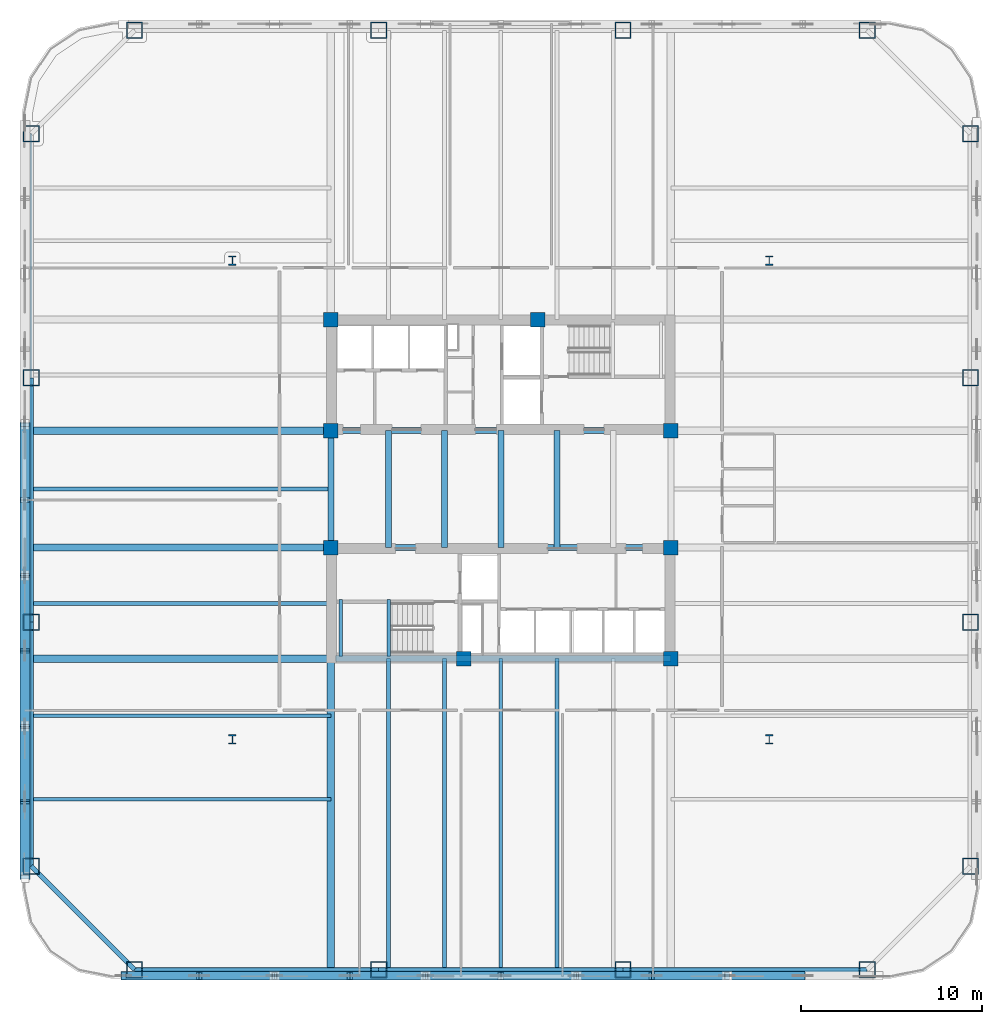
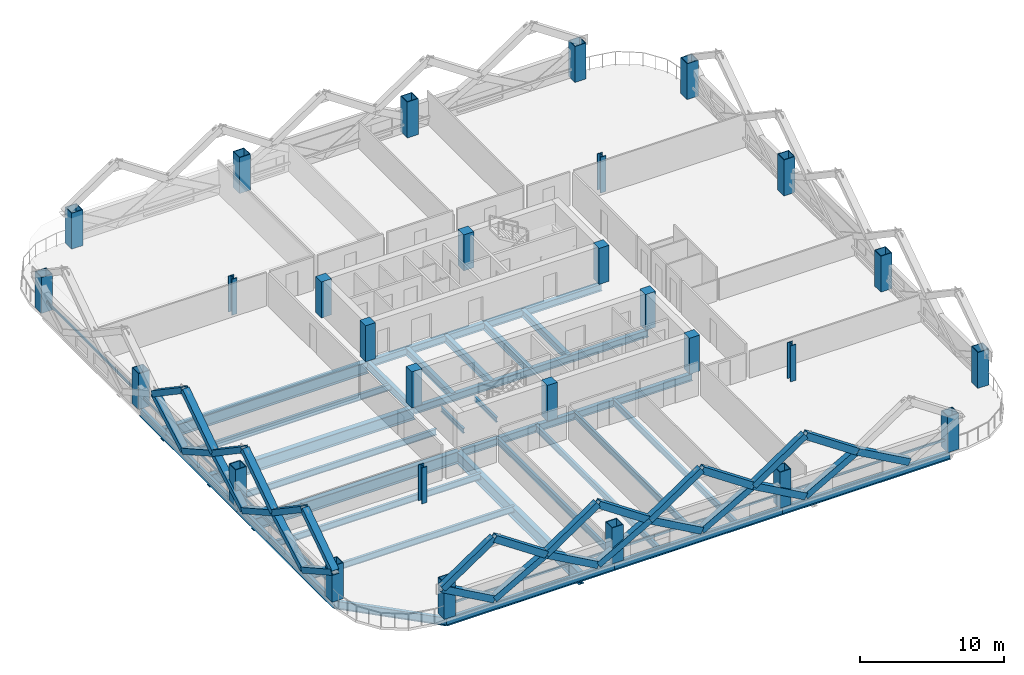
# One storey, part 1 of 14: 31 members, 28 beams, 28 columns.
"""IFC4 building model written with IfcOpenShell, lengths in metres."""

from ifc_helpers import new_model, si_unit, direction, frame, origin, origin_2d, place, context, subcontext, project, spatial, rectangle, hollow_rectangle, i_section, extrude, material, material_profile, profile_set, type_object, element, save


model = new_model("IFC4")

# Units and contexts
model_context = context("Model", 3, precision=1e-05, world=origin(), true_north=direction((0.0, 1.0)))
body_context = subcontext(model_context, "Body", "Model", "MODEL_VIEW")
ifc_project = project(units=[si_unit("LENGTHUNIT", "METRE"), si_unit("AREAUNIT", "SQUARE_METRE"), si_unit("VOLUMEUNIT", "CUBIC_METRE"), si_unit("PLANEANGLEUNIT", "RADIAN"), si_unit("MASSUNIT", "GRAM", prefix="KILO")], contexts=[model_context])

# Site, building, storey
site_placement = place(None, origin())
site = spatial("IfcSite", under=ifc_project, at=site_placement, CompositionType="ELEMENT")
building_placement = place(site_placement, origin())
building = spatial("IfcBuilding", under=site, at=building_placement, Name="Qhalaya Broadcast Tower", CompositionType="ELEMENT")
storey_placement = place(building_placement, frame((0.0, 0.0, 38.300048828125)))
storey = spatial("IfcBuildingStorey", under=building, at=storey_placement, Name="L10", CompositionType="ELEMENT", Elevation=38.300048828125)

# Columns
ifc_material_1 = material(Name="Concrete C50/60", Category="concrete")
ifc_material_profile_1 = material_profile(ifc_material_1, rectangle(XDim=0.800048828125, YDim=0.800048828125, at=origin_2d()), Name="RC-COL 800x800")
ifc_profile_set_1 = profile_set([ifc_material_profile_1], Name="Concrete C50/60")
column_type_1 = type_object("IfcColumnType", Name="RC Upper Column C10", PredefinedType="COLUMN", material=ifc_profile_set_1)
for number, where, z_axis, x_axis, name in (
    (1, (-9.375, 9.949951171875, 0.0), (0.0, 0.0, 1.0), (1.0, 0.0, 0.0), "L10 Column COL-CC1"),
    (2, (2.050048828125, 9.949951171875, 0.0), (0.0, 0.0, 1.0), (1.0, 0.0, 0.0), "L10 Column COL-CC2"),
    (3, (-9.375, 3.824951171875, 0.0), (0.0, 0.0, 1.0), (1.0, 0.0, 0.0), "L10 Column COL-CC3"),
    (4, (9.375, 3.824951171875, 0.0), (0.0, 0.0, 1.0), (1.0, 0.0, 0.0), "L10 Column COL-CC4"),
    (5, (-9.375, -2.625, 0.0), (0.0, 0.0, 1.0), (1.0, 0.0, 0.0), "L10 Column COL-CC5"),
    (6, (9.375, -2.625, 0.0), (0.0, 0.0, 1.0), (1.0, 0.0, 0.0), "L10 Column COL-CC6"),
    (7, (-2.050048828125, -8.75, 0.0), (0.0, 0.0, 1.0), (1.0, 0.0, 0.0), "L10 Column COL-CC7"),
    (8, (9.375, -8.75, 0.0), (0.0, 0.0, 1.0), (1.0, 0.0, 0.0), "L10 Column COL-CC8"),
):
    element("IfcColumn", number, at=place(storey_placement, frame(where, z_axis=z_axis, x_axis=x_axis)), inside=storey, type_object=column_type_1, Name=name, PredefinedType="COLUMN", context=body_context, shape_type="SweptSolid", body=[
        extrude(rectangle(XDim=0.800048828125, YDim=0.800048828125, at=origin_2d()), origin(), (0.0, 0.0, 1.0), 3.050048828125),
    ])
ifc_material_2 = material(Name="Structural Steel ASTM A992 Grade 50", Category="steel")
ifc_material_profile_2 = material_profile(ifc_material_2, i_section(OverallWidth=0.41796875, OverallDepth=0.510009765625, WebThickness=0.0419921875, FlangeThickness=0.067626953125, at=origin_2d()), Name="W14X370")
ifc_profile_set_2 = profile_set([ifc_material_profile_2], Name="Structural Steel ASTM A992 Grade 50")
column_type_2 = type_object("IfcColumnType", Name="Rolled Gravity Column C06", PredefinedType="COLUMN", material=ifc_profile_set_2)
for number, where, z_axis, x_axis, name in (
    (9, (-14.800048828125, -13.199951171875, 0.0), (0.0, 0.0, 1.0), (1.0, 0.0, 0.0), "L10 Column COL-GR1"),
    (10, (14.800048828125, -13.199951171875, 0.0), (0.0, 0.0, 1.0), (1.0, 0.0, 0.0), "L10 Column COL-GR2"),
    (11, (-14.800048828125, 13.199951171875, 0.0), (0.0, 0.0, 1.0), (1.0, 0.0, 0.0), "L10 Column COL-GR3"),
    (12, (14.800048828125, 13.199951171875, 0.0), (0.0, 0.0, 1.0), (1.0, 0.0, 0.0), "L10 Column COL-GR4"),
):
    element("IfcColumn", number, at=place(storey_placement, frame(where, z_axis=z_axis, x_axis=x_axis)), inside=storey, type_object=column_type_2, Name=name, PredefinedType="COLUMN", context=body_context, shape_type="SweptSolid", body=[
        extrude(i_section(OverallWidth=0.41796875, OverallDepth=0.510009765625, WebThickness=0.0419921875, FlangeThickness=0.067626953125, at=origin_2d()), origin(), (0.0, 0.0, 1.0), 3.050048828125),
    ])
ifc_material_3 = material(Name="Structural Steel ASTM A572 Grade 50", Category="steel")
ifc_material_profile_3 = material_profile(ifc_material_3, hollow_rectangle(XDim=0.89990234375, YDim=0.89990234375, WallThickness=0.054931640625, at=origin_2d()), Name="BOX 900x900x55")
ifc_profile_set_3 = profile_set([ifc_material_profile_3], Name="Structural Steel ASTM A572 Grade 50")
column_type_3 = type_object("IfcColumnType", Name="Steel Box Column C02", PredefinedType="COLUMN", material=ifc_profile_set_3)
for number, where, z_axis, x_axis, name in (
    (13, (-20.199951171875, -25.89990234375, 0.0), (0.0, 0.0, 1.0), (1.0, 0.0, 0.0), "L10 Column COL-EX01"),
    (14, (-6.7333984375, -25.89990234375, 0.0), (0.0, 0.0, 1.0), (1.0, 0.0, 0.0), "L10 Column COL-EX02"),
    (15, (6.7333984375, -25.89990234375, 0.0), (0.0, 0.0, 1.0), (1.0, 0.0, 0.0), "L10 Column COL-EX03"),
    (16, (20.199951171875, -25.89990234375, 0.0), (0.0, 0.0, 1.0), (1.0, 0.0, 0.0), "L10 Column COL-EX04"),
    (17, (25.89990234375, -20.199951171875, 0.0), (0.0, 0.0, 1.0), (0.0, 1.0, 0.0), "L10 Column COL-EX05"),
    (18, (25.89990234375, -6.7333984375, 0.0), (0.0, 0.0, 1.0), (0.0, 1.0, 0.0), "L10 Column COL-EX06"),
    (19, (25.89990234375, 6.7333984375, 0.0), (0.0, 0.0, 1.0), (0.0, 1.0, 0.0), "L10 Column COL-EX07"),
    (20, (25.89990234375, 20.199951171875, 0.0), (0.0, 0.0, 1.0), (0.0, 1.0, 0.0), "L10 Column COL-EX08"),
    (21, (20.199951171875, 25.89990234375, 0.0), (0.0, 0.0, 1.0), (1.0, 0.0, 0.0), "L10 Column COL-EX09"),
    (22, (6.7333984375, 25.89990234375, 0.0), (0.0, 0.0, 1.0), (1.0, 0.0, 0.0), "L10 Column COL-EX10"),
    (23, (-6.7333984375, 25.89990234375, 0.0), (0.0, 0.0, 1.0), (1.0, 0.0, 0.0), "L10 Column COL-EX11"),
    (24, (-20.199951171875, 25.89990234375, 0.0), (0.0, 0.0, 1.0), (1.0, 0.0, 0.0), "L10 Column COL-EX12"),
    (25, (-25.89990234375, 20.199951171875, 0.0), (0.0, 0.0, 1.0), (0.0, 1.0, 0.0), "L10 Column COL-EX13"),
    (26, (-25.89990234375, 6.7333984375, 0.0), (0.0, 0.0, 1.0), (0.0, 1.0, 0.0), "L10 Column COL-EX14"),
    (27, (-25.89990234375, -6.7333984375, 0.0), (0.0, 0.0, 1.0), (0.0, 1.0, 0.0), "L10 Column COL-EX15"),
    (28, (-25.89990234375, -20.199951171875, 0.0), (0.0, 0.0, 1.0), (0.0, 1.0, 0.0), "L10 Column COL-EX16"),
):
    element("IfcColumn", number, at=place(storey_placement, frame(where, z_axis=z_axis, x_axis=x_axis)), inside=storey, type_object=column_type_3, Name=name, PredefinedType="COLUMN", context=body_context, shape_type="SweptSolid", body=[
        extrude(hollow_rectangle(XDim=0.89990234375, YDim=0.89990234375, WallThickness=0.054931640625, at=origin_2d()), origin(), (0.0, 0.0, 1.0), 3.050048828125),
    ])

# Beams
ifc_material_profile_4 = material_profile(ifc_material_2, i_section(OverallWidth=0.2099609375, OverallDepth=0.535888671875, WebThickness=0.010986328125, FlangeThickness=0.017333984375, at=origin_2d()), Name="W21X68")
ifc_profile_set_4 = profile_set([ifc_material_profile_4], Name="Structural Steel ASTM A992 Grade 50")
beam_type_1 = type_object("IfcBeamType", Name="Composite Floor Joist J02", PredefinedType="JOIST", material=ifc_profile_set_4)
for number, where, z_axis, x_axis, name in (
    (29, (-6.199951171875, -25.8798828125, -0.488037109375), (0.0, 1.0, 0.0), (-1.0, 0.0, 0.0), "L10 J02 L10-JNS1-1"),
    (30, (-3.10009765625, -25.8798828125, -0.488037109375), (0.0, 1.0, 0.0), (-1.0, 0.0, 0.0), "L10 J02 L10-JNS2-1"),
    (31, (0.0, -25.8798828125, -0.488037109375), (0.0, 1.0, 0.0), (-1.0, 0.0, 0.0), "L10 J02 L10-JNS3-1"),
    (32, (3.10009765625, -25.8798828125, -0.488037109375), (0.0, 1.0, 0.0), (-1.0, 0.0, 0.0), "L10 J02 L10-JNS4-1"),
):
    element("IfcBeam", number, at=place(storey_placement, frame(where, z_axis=z_axis, x_axis=x_axis)), inside=storey, type_object=beam_type_1, Name=name, PredefinedType="JOIST", context=body_context, shape_type="SweptSolid", body=[
        extrude(i_section(OverallWidth=0.2099609375, OverallDepth=0.535888671875, WebThickness=0.010986328125, FlangeThickness=0.017333984375, at=origin_2d()), origin(), (0.0, 0.0, 1.0), 17.1298828125),
    ])
for number, where, z_axis, x_axis, name in (
    (33, (-25.8798828125, -16.5, -0.488037109375), (1.0, 0.0, 0.0), (0.0, 1.0, 0.0), "L10 J02 L10-JWE1W-1"),
    (34, (-25.8798828125, -11.89990234375, -0.488037109375), (1.0, 0.0, 0.0), (0.0, 1.0, 0.0), "L10 J02 L10-JWE2W-1"),
    (35, (-25.8798828125, -5.699951171875, -0.488037109375), (1.0, 0.0, 0.0), (0.0, 1.0, 0.0), "L10 J02 L10-JWE3W-1"),
    (36, (-25.8798828125, 0.60009765625, -0.488037109375), (1.0, 0.0, 0.0), (0.0, 1.0, 0.0), "L10 J02 L10-JWE4W-1"),
):
    element("IfcBeam", number, at=place(storey_placement, frame(where, z_axis=z_axis, x_axis=x_axis)), inside=storey, type_object=beam_type_1, Name=name, PredefinedType="JOIST", context=body_context, shape_type="SweptSolid", body=[
        extrude(i_section(OverallWidth=0.2099609375, OverallDepth=0.535888671875, WebThickness=0.010986328125, FlangeThickness=0.017333984375, at=origin_2d()), origin(), (0.0, 0.0, 1.0), 16.5048828125),
    ])
ifc_material_profile_5 = material_profile(ifc_material_2, i_section(OverallWidth=0.323974609375, OverallDepth=0.612060546875, WebThickness=0.0126953125, FlangeThickness=0.01904296875, at=origin_2d()), Name="W24X104")
ifc_profile_set_5 = profile_set([ifc_material_profile_5], Name="Structural Steel ASTM A992 Grade 50")
beam_type_2 = type_object("IfcBeamType", Name="Core Frame Tie Beam B04", PredefinedType="BEAM", material=ifc_profile_set_5)
for number, where, z_axis, x_axis, name in (
    (37, (-9.375, 3.824951171875, -0.526123046875), (1.0, 0.0, 0.0), (0.0, 1.0, 0.0), "L10 B04 L10-CCN1"),
    (38, (-9.375, -2.625, -0.526123046875), (1.0, 0.0, 0.0), (0.0, 1.0, 0.0), "L10 B04 L10-CCS1"),
):
    element("IfcBeam", number, at=place(storey_placement, frame(where, z_axis=z_axis, x_axis=x_axis)), inside=storey, type_object=beam_type_2, Name=name, PredefinedType="BEAM", context=body_context, shape_type="SweptSolid", body=[
        extrude(i_section(OverallWidth=0.323974609375, OverallDepth=0.612060546875, WebThickness=0.0126953125, FlangeThickness=0.01904296875, at=origin_2d()), origin(), (0.0, 0.0, 1.0), 18.75),
    ])
beam_1_placement = place(storey_placement, frame((-9.1201171875, -8.75, -0.526123046875), z_axis=(1.0, 0.0, 0.0), x_axis=(0.0, 1.0, 0.0)))
element("IfcBeam", 39, at=beam_1_placement, inside=storey, type_object=beam_type_2, Name="L10 B04 L10-CCS3", PredefinedType="BEAM", context=body_context, shape_type="SweptSolid", body=[
    extrude(i_section(OverallWidth=0.323974609375, OverallDepth=0.612060546875, WebThickness=0.0126953125, FlangeThickness=0.01904296875, at=origin_2d()), origin(), (0.0, 0.0, 1.0), 18.4951171875),
])
for number, where, z_axis, x_axis, name in (
    (40, (-9.375, -2.625, -0.526123046875), (0.0, 1.0, 0.0), (-1.0, 0.0, 0.0), "L10 B04 L10-CCW"),
    (41, (-6.199951171875, -2.625, -0.526123046875), (0.0, 1.0, 0.0), (-1.0, 0.0, 0.0), "L10 B04 L10-JC1-1"),
    (42, (-3.10009765625, -2.625, -0.526123046875), (0.0, 1.0, 0.0), (-1.0, 0.0, 0.0), "L10 B04 L10-JC2-1"),
    (43, (0.0, -2.625, -0.526123046875), (0.0, 1.0, 0.0), (-1.0, 0.0, 0.0), "L10 B04 L10-JC3-1"),
    (44, (3.10009765625, -2.625, -0.526123046875), (0.0, 1.0, 0.0), (-1.0, 0.0, 0.0), "L10 B04 L10-JC4-1"),
):
    element("IfcBeam", number, at=place(storey_placement, frame(where, z_axis=z_axis, x_axis=x_axis)), inside=storey, type_object=beam_type_2, Name=name, PredefinedType="BEAM", context=body_context, shape_type="SweptSolid", body=[
        extrude(i_section(OverallWidth=0.323974609375, OverallDepth=0.612060546875, WebThickness=0.0126953125, FlangeThickness=0.01904296875, at=origin_2d()), origin(), (0.0, 0.0, 1.0), 6.449951171875),
    ])

# Members
ifc_material_profile_6 = material_profile(ifc_material_3, hollow_rectangle(XDim=0.449951171875, YDim=0.550048828125, WallThickness=0.031982421875, at=origin_2d()), Name="BOX 450x550x32")
ifc_profile_set_6 = profile_set([ifc_material_profile_6], Name="Structural Steel ASTM A572 Grade 50")
member_type_1 = type_object("IfcMemberType", Name="Exoskeleton Diamond Diagonal Lower EX1", PredefinedType="BRACE", material=ifc_profile_set_6)
member_1_placement = place(storey_placement, frame((-16.639892578125, -26.239990234375, 0.35986328125), z_axis=(-0.872471089532, 0.0, 0.488665732306), x_axis=(0.0, -1.0, 0.0)))
element("IfcMember", 45, at=member_1_placement, inside=storey, type_object=member_type_1, Name="B1 Exoskeleton Diamond Brace S1-D1", PredefinedType="BRACE", context=body_context, shape_type="SweptSolid", body=[
    extrude(hollow_rectangle(XDim=0.449951171875, YDim=0.550048828125, WallThickness=0.031982421875, at=origin_2d()), origin(), (0.0, 0.0, 1.0), 4.768310546875),
])
member_2_placement = place(storey_placement, frame((-16.639892578125, -26.239990234375, 0.35986328125), z_axis=(0.872458862126, 0.0, 0.488687562658), x_axis=(0.0, 1.0, 0.0)))
element("IfcMember", 46, at=member_2_placement, inside=storey, type_object=member_type_1, Name="B1 Exoskeleton Diamond Brace S1-D2", PredefinedType="BRACE", context=body_context, shape_type="SweptSolid", body=[
    extrude(hollow_rectangle(XDim=0.449951171875, YDim=0.550048828125, WallThickness=0.031982421875, at=origin_2d()), origin(), (0.0, 0.0, 1.0), 4.76806640625),
])
member_3_placement = place(storey_placement, frame((-20.800048828125, -26.239990234375, 2.68994140625), z_axis=(0.828668223168, 0.0, 0.559740096752), x_axis=(0.0, 1.0, 0.0)))
element("IfcMember", 47, at=member_3_placement, inside=storey, type_object=member_type_1, Name="B1 Exoskeleton Diamond Brace S1-D3", PredefinedType="BRACE", context=body_context, shape_type="SweptSolid", body=[
    extrude(hollow_rectangle(XDim=0.449951171875, YDim=0.550048828125, WallThickness=0.031982421875, at=origin_2d()), origin(), (0.0, 0.0, 1.0), 5.020263671875),
])
member_4_placement = place(storey_placement, frame((-12.47998046875, -26.239990234375, 2.68994140625), z_axis=(-0.828652985792, 0.0, 0.559762654291), x_axis=(0.0, -1.0, 0.0)))
element("IfcMember", 48, at=member_4_placement, inside=storey, type_object=member_type_1, Name="B1 Exoskeleton Diamond Brace S1-D4", PredefinedType="BRACE", context=body_context, shape_type="SweptSolid", body=[
    extrude(hollow_rectangle(XDim=0.449951171875, YDim=0.550048828125, WallThickness=0.031982421875, at=origin_2d()), origin(), (0.0, 0.0, 1.0), 5.02001953125),
])
member_5_placement = place(storey_placement, frame((-8.320068359375, -26.239990234375, 0.35986328125), z_axis=(-0.872458862126, 0.0, 0.488687562658), x_axis=(0.0, -1.0, 0.0)))
element("IfcMember", 49, at=member_5_placement, inside=storey, type_object=member_type_1, Name="B1 Exoskeleton Diamond Brace S2-D1", PredefinedType="BRACE", context=body_context, shape_type="SweptSolid", body=[
    extrude(hollow_rectangle(XDim=0.449951171875, YDim=0.550048828125, WallThickness=0.031982421875, at=origin_2d()), origin(), (0.0, 0.0, 1.0), 4.76806640625),
])
member_6_placement = place(storey_placement, frame((-8.320068359375, -26.239990234375, 0.35986328125), z_axis=(0.872471089532, 0.0, 0.488665732306), x_axis=(0.0, 1.0, 0.0)))
element("IfcMember", 50, at=member_6_placement, inside=storey, type_object=member_type_1, Name="B1 Exoskeleton Diamond Brace S2-D2", PredefinedType="BRACE", context=body_context, shape_type="SweptSolid", body=[
    extrude(hollow_rectangle(XDim=0.449951171875, YDim=0.550048828125, WallThickness=0.031982421875, at=origin_2d()), origin(), (0.0, 0.0, 1.0), 4.768310546875),
])
member_7_placement = place(storey_placement, frame((-12.47998046875, -26.239990234375, 2.68994140625), z_axis=(0.828652985792, 0.0, 0.559762654291), x_axis=(0.0, 1.0, 0.0)))
element("IfcMember", 51, at=member_7_placement, inside=storey, type_object=member_type_1, Name="B1 Exoskeleton Diamond Brace S2-D3", PredefinedType="BRACE", context=body_context, shape_type="SweptSolid", body=[
    extrude(hollow_rectangle(XDim=0.449951171875, YDim=0.550048828125, WallThickness=0.031982421875, at=origin_2d()), origin(), (0.0, 0.0, 1.0), 5.02001953125),
])
member_8_placement = place(storey_placement, frame((-4.159912109375, -26.239990234375, 2.68994140625), z_axis=(-0.828668223168, 0.0, 0.559740096752), x_axis=(0.0, -1.0, 0.0)))
element("IfcMember", 52, at=member_8_placement, inside=storey, type_object=member_type_1, Name="B1 Exoskeleton Diamond Brace S2-D4", PredefinedType="BRACE", context=body_context, shape_type="SweptSolid", body=[
    extrude(hollow_rectangle(XDim=0.449951171875, YDim=0.550048828125, WallThickness=0.031982421875, at=origin_2d()), origin(), (0.0, 0.0, 1.0), 5.020263671875),
])
for number, where, z_axis, x_axis, name in (
    (53, (0.0, -26.239990234375, 0.35986328125), (-0.872458862126, 0.0, 0.488687562658), (0.0, -1.0, 0.0), "B1 Exoskeleton Diamond Brace S3-D1"),
    (54, (0.0, -26.239990234375, 0.35986328125), (0.872458862126, 0.0, 0.488687562658), (0.0, 1.0, 0.0), "B1 Exoskeleton Diamond Brace S3-D2"),
):
    element("IfcMember", number, at=place(storey_placement, frame(where, z_axis=z_axis, x_axis=x_axis)), inside=storey, type_object=member_type_1, Name=name, PredefinedType="BRACE", context=body_context, shape_type="SweptSolid", body=[
        extrude(hollow_rectangle(XDim=0.449951171875, YDim=0.550048828125, WallThickness=0.031982421875, at=origin_2d()), origin(), (0.0, 0.0, 1.0), 4.76806640625),
    ])
for number, where, z_axis, x_axis, name in (
    (55, (-4.159912109375, -26.239990234375, 2.68994140625), (0.828652985792, 0.0, 0.559762654291), (0.0, 1.0, 0.0), "B1 Exoskeleton Diamond Brace S3-D3"),
    (56, (4.159912109375, -26.239990234375, 2.68994140625), (-0.828652985792, 0.0, 0.559762654291), (0.0, -1.0, 0.0), "B1 Exoskeleton Diamond Brace S3-D4"),
):
    element("IfcMember", number, at=place(storey_placement, frame(where, z_axis=z_axis, x_axis=x_axis)), inside=storey, type_object=member_type_1, Name=name, PredefinedType="BRACE", context=body_context, shape_type="SweptSolid", body=[
        extrude(hollow_rectangle(XDim=0.449951171875, YDim=0.550048828125, WallThickness=0.031982421875, at=origin_2d()), origin(), (0.0, 0.0, 1.0), 5.02001953125),
    ])
member_9_placement = place(storey_placement, frame((8.320068359375, -26.239990234375, 0.35986328125), z_axis=(-0.872471089532, 0.0, 0.488665732306), x_axis=(0.0, -1.0, 0.0)))
element("IfcMember", 57, at=member_9_placement, inside=storey, type_object=member_type_1, Name="B1 Exoskeleton Diamond Brace S4-D1", PredefinedType="BRACE", context=body_context, shape_type="SweptSolid", body=[
    extrude(hollow_rectangle(XDim=0.449951171875, YDim=0.550048828125, WallThickness=0.031982421875, at=origin_2d()), origin(), (0.0, 0.0, 1.0), 4.768310546875),
])
member_10_placement = place(storey_placement, frame((8.320068359375, -26.239990234375, 0.35986328125), z_axis=(0.872458862126, 0.0, 0.488687562658), x_axis=(0.0, 1.0, 0.0)))
element("IfcMember", 58, at=member_10_placement, inside=storey, type_object=member_type_1, Name="B1 Exoskeleton Diamond Brace S4-D2", PredefinedType="BRACE", context=body_context, shape_type="SweptSolid", body=[
    extrude(hollow_rectangle(XDim=0.449951171875, YDim=0.550048828125, WallThickness=0.031982421875, at=origin_2d()), origin(), (0.0, 0.0, 1.0), 4.76806640625),
])
member_11_placement = place(storey_placement, frame((4.159912109375, -26.239990234375, 2.68994140625), z_axis=(0.828668223168, 0.0, 0.559740096752), x_axis=(0.0, 1.0, 0.0)))
element("IfcMember", 59, at=member_11_placement, inside=storey, type_object=member_type_1, Name="B1 Exoskeleton Diamond Brace S4-D3", PredefinedType="BRACE", context=body_context, shape_type="SweptSolid", body=[
    extrude(hollow_rectangle(XDim=0.449951171875, YDim=0.550048828125, WallThickness=0.031982421875, at=origin_2d()), origin(), (0.0, 0.0, 1.0), 5.020263671875),
])
member_12_placement = place(storey_placement, frame((12.47998046875, -26.239990234375, 2.68994140625), z_axis=(-0.828652985792, 0.0, 0.559762654291), x_axis=(0.0, -1.0, 0.0)))
element("IfcMember", 60, at=member_12_placement, inside=storey, type_object=member_type_1, Name="B1 Exoskeleton Diamond Brace S4-D4", PredefinedType="BRACE", context=body_context, shape_type="SweptSolid", body=[
    extrude(hollow_rectangle(XDim=0.449951171875, YDim=0.550048828125, WallThickness=0.031982421875, at=origin_2d()), origin(), (0.0, 0.0, 1.0), 5.02001953125),
])
for number, where, z_axis, x_axis, name in (
    (61, (16.639892578125, -26.239990234375, 0.35986328125), (-0.872458862126, 0.0, 0.488687562658), (0.0, -1.0, 0.0), "B1 Exoskeleton Diamond Brace S5-D1"),
    (62, (-26.239990234375, 0.0, 0.35986328125), (0.0, 0.872458862126, 0.488687562658), (0.0, -0.488687562658, 0.872458862126), "B1 Exoskeleton Diamond Brace W3-D1"),
    (63, (-26.239990234375, 0.0, 0.35986328125), (0.0, -0.872458862126, 0.488687562658), (0.0, 0.488687562658, 0.872458862126), "B1 Exoskeleton Diamond Brace W3-D2"),
):
    element("IfcMember", number, at=place(storey_placement, frame(where, z_axis=z_axis, x_axis=x_axis)), inside=storey, type_object=member_type_1, Name=name, PredefinedType="BRACE", context=body_context, shape_type="SweptSolid", body=[
        extrude(hollow_rectangle(XDim=0.449951171875, YDim=0.550048828125, WallThickness=0.031982421875, at=origin_2d()), origin(), (0.0, 0.0, 1.0), 4.76806640625),
    ])
for number, where, z_axis, x_axis, name in (
    (64, (-26.239990234375, 4.159912109375, 2.68994140625), (0.0, -0.828652985792, 0.559762654291), (0.0, 0.559762654291, 0.828652985792), "B1 Exoskeleton Diamond Brace W3-D3"),
    (65, (-26.239990234375, -4.159912109375, 2.68994140625), (0.0, 0.828652985792, 0.559762654291), (0.0, -0.559762654291, 0.828652985792), "B1 Exoskeleton Diamond Brace W3-D4"),
):
    element("IfcMember", number, at=place(storey_placement, frame(where, z_axis=z_axis, x_axis=x_axis)), inside=storey, type_object=member_type_1, Name=name, PredefinedType="BRACE", context=body_context, shape_type="SweptSolid", body=[
        extrude(hollow_rectangle(XDim=0.449951171875, YDim=0.550048828125, WallThickness=0.031982421875, at=origin_2d()), origin(), (0.0, 0.0, 1.0), 5.02001953125),
    ])
member_13_placement = place(storey_placement, frame((-26.239990234375, -8.320068359375, 0.35986328125), z_axis=(0.0, 0.872471089532, 0.488665732306), x_axis=(0.0, -0.488665732306, 0.872471089532)))
element("IfcMember", 66, at=member_13_placement, inside=storey, type_object=member_type_1, Name="B1 Exoskeleton Diamond Brace W4-D1", PredefinedType="BRACE", context=body_context, shape_type="SweptSolid", body=[
    extrude(hollow_rectangle(XDim=0.449951171875, YDim=0.550048828125, WallThickness=0.031982421875, at=origin_2d()), origin(), (0.0, 0.0, 1.0), 4.768310546875),
])
member_14_placement = place(storey_placement, frame((-26.239990234375, -8.320068359375, 0.35986328125), z_axis=(0.0, -0.872458862126, 0.488687562658), x_axis=(0.0, 0.488687562658, 0.872458862126)))
element("IfcMember", 67, at=member_14_placement, inside=storey, type_object=member_type_1, Name="B1 Exoskeleton Diamond Brace W4-D2", PredefinedType="BRACE", context=body_context, shape_type="SweptSolid", body=[
    extrude(hollow_rectangle(XDim=0.449951171875, YDim=0.550048828125, WallThickness=0.031982421875, at=origin_2d()), origin(), (0.0, 0.0, 1.0), 4.76806640625),
])
member_15_placement = place(storey_placement, frame((-26.239990234375, -4.159912109375, 2.68994140625), z_axis=(0.0, -0.828668223168, 0.559740096752), x_axis=(0.0, 0.559740096752, 0.828668223168)))
element("IfcMember", 68, at=member_15_placement, inside=storey, type_object=member_type_1, Name="B1 Exoskeleton Diamond Brace W4-D3", PredefinedType="BRACE", context=body_context, shape_type="SweptSolid", body=[
    extrude(hollow_rectangle(XDim=0.449951171875, YDim=0.550048828125, WallThickness=0.031982421875, at=origin_2d()), origin(), (0.0, 0.0, 1.0), 5.020263671875),
])
member_16_placement = place(storey_placement, frame((-26.239990234375, -12.47998046875, 2.68994140625), z_axis=(0.0, 0.828652985792, 0.559762654291), x_axis=(0.0, -0.559762654291, 0.828652985792)))
element("IfcMember", 69, at=member_16_placement, inside=storey, type_object=member_type_1, Name="B1 Exoskeleton Diamond Brace W4-D4", PredefinedType="BRACE", context=body_context, shape_type="SweptSolid", body=[
    extrude(hollow_rectangle(XDim=0.449951171875, YDim=0.550048828125, WallThickness=0.031982421875, at=origin_2d()), origin(), (0.0, 0.0, 1.0), 5.02001953125),
])
member_17_placement = place(storey_placement, frame((-26.239990234375, -16.639892578125, 0.35986328125), z_axis=(0.0, 0.872458862126, 0.488687562658), x_axis=(0.0, -0.488687562658, 0.872458862126)))
element("IfcMember", 70, at=member_17_placement, inside=storey, type_object=member_type_1, Name="B1 Exoskeleton Diamond Brace W5-D1", PredefinedType="BRACE", context=body_context, shape_type="SweptSolid", body=[
    extrude(hollow_rectangle(XDim=0.449951171875, YDim=0.550048828125, WallThickness=0.031982421875, at=origin_2d()), origin(), (0.0, 0.0, 1.0), 4.76806640625),
])
member_18_placement = place(storey_placement, frame((-26.239990234375, -16.639892578125, 0.35986328125), z_axis=(0.0, -0.872471089532, 0.488665732306), x_axis=(0.0, 0.488665732306, 0.872471089532)))
element("IfcMember", 71, at=member_18_placement, inside=storey, type_object=member_type_1, Name="B1 Exoskeleton Diamond Brace W5-D2", PredefinedType="BRACE", context=body_context, shape_type="SweptSolid", body=[
    extrude(hollow_rectangle(XDim=0.449951171875, YDim=0.550048828125, WallThickness=0.031982421875, at=origin_2d()), origin(), (0.0, 0.0, 1.0), 4.768310546875),
])
member_19_placement = place(storey_placement, frame((-26.239990234375, -12.47998046875, 2.68994140625), z_axis=(0.0, -0.828652985792, 0.559762654291), x_axis=(0.0, 0.559762654291, 0.828652985792)))
element("IfcMember", 72, at=member_19_placement, inside=storey, type_object=member_type_1, Name="B1 Exoskeleton Diamond Brace W5-D3", PredefinedType="BRACE", context=body_context, shape_type="SweptSolid", body=[
    extrude(hollow_rectangle(XDim=0.449951171875, YDim=0.550048828125, WallThickness=0.031982421875, at=origin_2d()), origin(), (0.0, 0.0, 1.0), 5.02001953125),
])
member_20_placement = place(storey_placement, frame((-26.239990234375, -20.800048828125, 2.68994140625), z_axis=(0.0, 0.828668223168, 0.559740096752), x_axis=(0.0, -0.559740096752, 0.828668223168)))
element("IfcMember", 73, at=member_20_placement, inside=storey, type_object=member_type_1, Name="B1 Exoskeleton Diamond Brace W5-D4", PredefinedType="BRACE", context=body_context, shape_type="SweptSolid", body=[
    extrude(hollow_rectangle(XDim=0.449951171875, YDim=0.550048828125, WallThickness=0.031982421875, at=origin_2d()), origin(), (0.0, 0.0, 1.0), 5.020263671875),
])
ifc_material_4 = material(Name="Fired Architectural Terracotta", Category="masonry")
ifc_material_profile_7 = material_profile(ifc_material_4, hollow_rectangle(XDim=0.110107421875, YDim=0.179931640625, WallThickness=0.01806640625, at=origin_2d()), Name="TB-BAG 110x180x18")
ifc_profile_set_7 = profile_set([ifc_material_profile_7], Name="Fired Architectural Terracotta")
member_type_2 = type_object("IfcMemberType", Name="Fired Terracotta Facade Baguette Member TB1", PredefinedType="USERDEFINED", material=ifc_profile_set_7)
for number, where, z_axis, x_axis, name in (
    (74, (-20.199951171875, -25.89990234375, 0.848876953125), (1.0, 0.0, 0.0), (0.0, 1.0, 0.0), "L10 Terracotta Baguette Feature Rail S"),
    (75, (-25.89990234375, 20.199951171875, 0.848876953125), (0.0, -1.0, 0.0), (1.0, 0.0, 0.0), "L10 Terracotta Baguette Feature Rail W"),
):
    element("IfcMember", number, at=place(storey_placement, frame(where, z_axis=z_axis, x_axis=x_axis)), inside=storey, type_object=member_type_2, Name=name, ObjectType="BAGUETTE", PredefinedType="USERDEFINED", context=body_context, shape_type="SweptSolid", body=[
        extrude(hollow_rectangle(XDim=0.110107421875, YDim=0.179931640625, WallThickness=0.01806640625, at=origin_2d()), origin(), (0.0, 0.0, 1.0), 40.39990234375),
    ])

# Beams
ifc_material_profile_8 = material_profile(ifc_material_2, i_section(OverallWidth=0.40087890625, OverallDepth=1.010986328125, WebThickness=0.023681640625, FlangeThickness=0.0419921875, at=origin_2d()), Name="W40X297")
ifc_profile_set_8 = profile_set([ifc_material_profile_8], Name="Structural Steel ASTM A992 Grade 50")
beam_type_3 = type_object("IfcBeamType", Name="Lower Block Primary Girder PG2", PredefinedType="USERDEFINED", material=ifc_profile_set_8)
beam_2_placement = place(storey_placement, frame((-9.375, -25.8798828125, -0.7255859375), z_axis=(0.0, 1.0, 0.0), x_axis=(-1.0, 0.0, 0.0)))
element("IfcBeam", 76, at=beam_2_placement, inside=storey, type_object=beam_type_3, Name="L10 PG2 L10-PGXS1-1", ObjectType="GIRDER", PredefinedType="USERDEFINED", context=body_context, shape_type="SweptSolid", body=[
    extrude(i_section(OverallWidth=0.40087890625, OverallDepth=1.010986328125, WebThickness=0.023681640625, FlangeThickness=0.0419921875, at=origin_2d()), origin(), (0.0, 0.0, 1.0), 17.1298828125),
])
for number, where, z_axis, x_axis, name in (
    (77, (-25.8798828125, -8.75, -0.7255859375), (1.0, 0.0, 0.0), (0.0, 1.0, 0.0), "L10 PG2 L10-PGYW1-1"),
    (78, (-25.8798828125, -2.625, -0.7255859375), (1.0, 0.0, 0.0), (0.0, 1.0, 0.0), "L10 PG2 L10-PGYW2-1"),
    (79, (-25.8798828125, 3.824951171875, -0.7255859375), (1.0, 0.0, 0.0), (0.0, 1.0, 0.0), "L10 PG2 L10-PGYW3-1"),
):
    element("IfcBeam", number, at=place(storey_placement, frame(where, z_axis=z_axis, x_axis=x_axis)), inside=storey, type_object=beam_type_3, Name=name, ObjectType="GIRDER", PredefinedType="USERDEFINED", context=body_context, shape_type="SweptSolid", body=[
        extrude(i_section(OverallWidth=0.40087890625, OverallDepth=1.010986328125, WebThickness=0.023681640625, FlangeThickness=0.0419921875, at=origin_2d()), origin(), (0.0, 0.0, 1.0), 16.5048828125),
    ])
ifc_material_profile_9 = material_profile(ifc_material_2, i_section(OverallWidth=0.25390625, OverallDepth=0.68310546875, WebThickness=0.012451171875, FlangeThickness=0.01904296875, at=origin_2d()), Name="W27X94")
ifc_profile_set_9 = profile_set([ifc_material_profile_9], Name="Structural Steel ASTM A992 Grade 50")
beam_type_4 = type_object("IfcBeamType", Name="Perimeter Ring Spandrel Beam SP1", PredefinedType="SPANDREL", material=ifc_profile_set_9)
beam_3_placement = place(storey_placement, frame((-20.199951171875, -25.89990234375, -0.5615234375), z_axis=(1.0, 0.0, 0.0), x_axis=(0.0, 1.0, 0.0)))
element("IfcBeam", 80, at=beam_3_placement, inside=storey, type_object=beam_type_4, Name="L10 SP1 L10-SPR-01", PredefinedType="SPANDREL", context=body_context, shape_type="SweptSolid", body=[
    extrude(i_section(OverallWidth=0.25390625, OverallDepth=0.68310546875, WebThickness=0.012451171875, FlangeThickness=0.01904296875, at=origin_2d()), origin(), (0.0, 0.0, 1.0), 13.466552734375),
])
beam_4_placement = place(storey_placement, frame((-6.7333984375, -25.89990234375, -0.5615234375), z_axis=(1.0, 0.0, 0.0), x_axis=(0.0, 1.0, 0.0)))
element("IfcBeam", 81, at=beam_4_placement, inside=storey, type_object=beam_type_4, Name="L10 SP1 L10-SPR-02", PredefinedType="SPANDREL", context=body_context, shape_type="SweptSolid", body=[
    extrude(i_section(OverallWidth=0.25390625, OverallDepth=0.68310546875, WebThickness=0.012451171875, FlangeThickness=0.01904296875, at=origin_2d()), origin(), (0.0, 0.0, 1.0), 13.466796875),
])
beam_5_placement = place(storey_placement, frame((6.7333984375, -25.89990234375, -0.5615234375), z_axis=(1.0, 0.0, 0.0), x_axis=(0.0, 1.0, 0.0)))
element("IfcBeam", 82, at=beam_5_placement, inside=storey, type_object=beam_type_4, Name="L10 SP1 L10-SPR-03", PredefinedType="SPANDREL", context=body_context, shape_type="SweptSolid", body=[
    extrude(i_section(OverallWidth=0.25390625, OverallDepth=0.68310546875, WebThickness=0.012451171875, FlangeThickness=0.01904296875, at=origin_2d()), origin(), (0.0, 0.0, 1.0), 13.466552734375),
])
beam_6_placement = place(storey_placement, frame((-25.89990234375, 6.7333984375, -0.5615234375), z_axis=(0.0, -1.0, 0.0), x_axis=(1.0, 0.0, 0.0)))
element("IfcBeam", 83, at=beam_6_placement, inside=storey, type_object=beam_type_4, Name="L10 SP1 L10-SPR-14", PredefinedType="SPANDREL", context=body_context, shape_type="SweptSolid", body=[
    extrude(i_section(OverallWidth=0.25390625, OverallDepth=0.68310546875, WebThickness=0.012451171875, FlangeThickness=0.01904296875, at=origin_2d()), origin(), (0.0, 0.0, 1.0), 13.466796875),
])
beam_7_placement = place(storey_placement, frame((-25.89990234375, -6.7333984375, -0.5615234375), z_axis=(0.0, -1.0, 0.0), x_axis=(1.0, 0.0, 0.0)))
element("IfcBeam", 84, at=beam_7_placement, inside=storey, type_object=beam_type_4, Name="L10 SP1 L10-SPR-15", PredefinedType="SPANDREL", context=body_context, shape_type="SweptSolid", body=[
    extrude(i_section(OverallWidth=0.25390625, OverallDepth=0.68310546875, WebThickness=0.012451171875, FlangeThickness=0.01904296875, at=origin_2d()), origin(), (0.0, 0.0, 1.0), 13.466552734375),
])
beam_8_placement = place(storey_placement, frame((-25.89990234375, -20.199951171875, -0.5615234375), z_axis=(0.707106781187, -0.707106781187, 0.0), x_axis=(0.707106781187, 0.707106781187, 0.0)))
element("IfcBeam", 85, at=beam_8_placement, inside=storey, type_object=beam_type_4, Name="L10 SP1 L10-SPR-16", PredefinedType="SPANDREL", context=body_context, shape_type="SweptSolid", body=[
    extrude(i_section(OverallWidth=0.25390625, OverallDepth=0.68310546875, WebThickness=0.012451171875, FlangeThickness=0.01904296875, at=origin_2d()), origin(), (0.0, 0.0, 1.0), 8.06103515625),
])
ifc_material_profile_10 = material_profile(ifc_material_2, i_section(OverallWidth=0.177978515625, OverallDepth=0.406005859375, WebThickness=0.0078125, FlangeThickness=0.0126953125, at=origin_2d()), Name="W16X40")
ifc_profile_set_10 = profile_set([ifc_material_profile_10], Name="Structural Steel ASTM A992 Grade 50")
beam_type_5 = type_object("IfcBeamType", Name="Upper Perimeter Spandrel Beam SP2", PredefinedType="SPANDREL", material=ifc_profile_set_10)
for number, where, z_axis, x_axis, name in (
    (86, (-8.830078125, -8.6201171875, 1.1220703125), (0.0, 1.0, 0.0), (-1.0, 0.0, 0.0), "L10 ST-2 Half-Landing Bearer Beam 1"),
    (87, (-6.175048828125, -8.6201171875, 1.1220703125), (0.0, 1.0, 0.0), (-1.0, 0.0, 0.0), "L10 ST-2 Half-Landing Bearer Beam 2"),
):
    element("IfcBeam", number, at=place(storey_placement, frame(where, z_axis=z_axis, x_axis=x_axis)), inside=storey, type_object=beam_type_5, Name=name, PredefinedType="SPANDREL", context=body_context, shape_type="SweptSolid", body=[
        extrude(i_section(OverallWidth=0.177978515625, OverallDepth=0.406005859375, WebThickness=0.0078125, FlangeThickness=0.0126953125, at=origin_2d()), origin(), (0.0, 0.0, 1.0), 3.1201171875),
    ])

save(model, "model.ifc")
